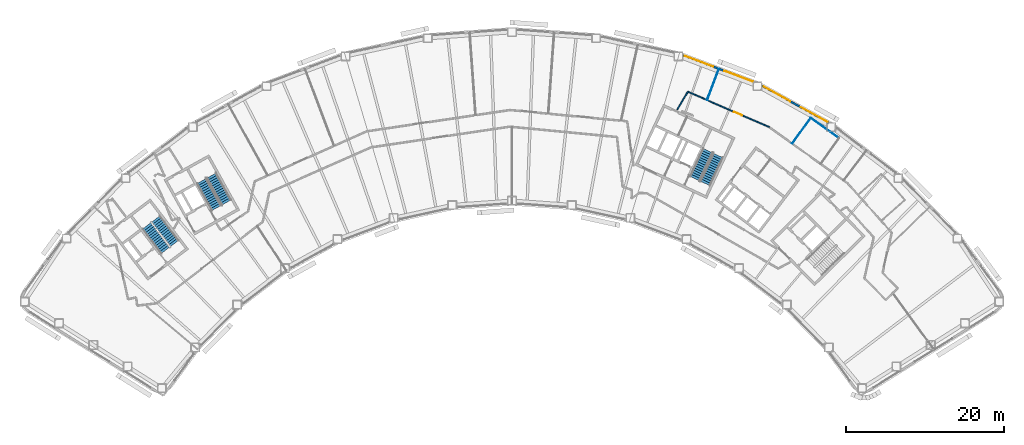
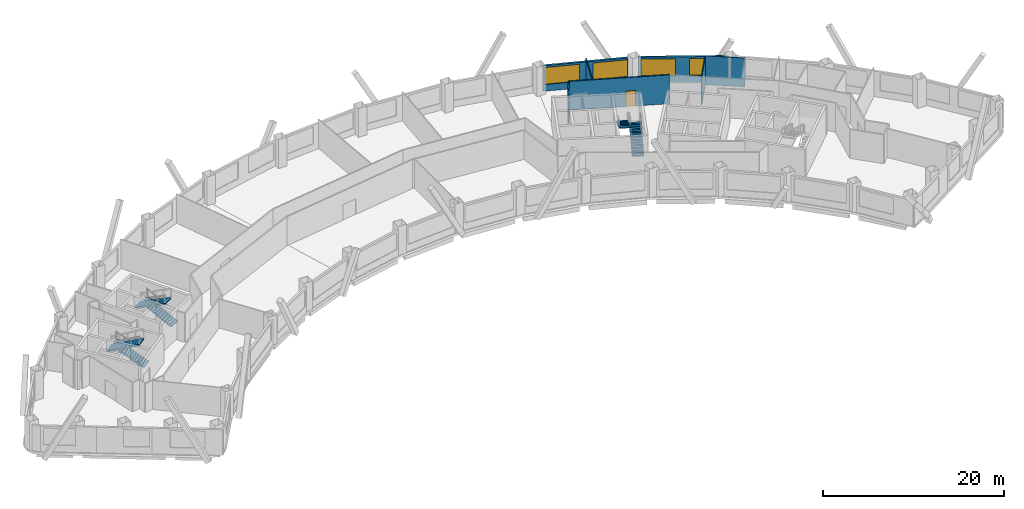
# One storey, part 8 of 11: 7 walls, 6 stair flights, 4 windows, 1 door, 5 openings, 3 elements without a shape of their own.
"""IFC4 building model written with IfcOpenShell, lengths in metres."""

from ifc_helpers import new_model, si_unit, direction, frame, frame_2d, origin, place, context, subcontext, project, spatial, polyline, rectangle, outline, extrude, material, layer, layer_set, type_object, element, fill, aggregate, save


model = new_model("IFC4")

# Units and contexts
model_context = context("Model", 3, precision=1e-05, world=origin(), true_north=direction((0.0, 1.0)))
body_context = subcontext(model_context, "Body", "Model", "MODEL_VIEW")
ifc_project = project(units=[si_unit("LENGTHUNIT", "METRE"), si_unit("AREAUNIT", "SQUARE_METRE"), si_unit("VOLUMEUNIT", "CUBIC_METRE"), si_unit("PLANEANGLEUNIT", "RADIAN"), si_unit("MASSUNIT", "GRAM", prefix="KILO")], contexts=[model_context])

# Site, building, storey
site_placement = place(None, origin())
site = spatial("IfcSite", under=ifc_project, at=site_placement, CompositionType="ELEMENT")
building_placement = place(site_placement, origin())
building = spatial("IfcBuilding", under=site, at=building_placement, Name="Tuul Gate Civic Tower", CompositionType="ELEMENT")
storey_placement = place(building_placement, frame((0.0, 0.0, 116.10009765625)))
storey = spatial("IfcBuildingStorey", under=building, at=storey_placement, Name="Level 26", CompositionType="ELEMENT", Elevation=116.10009765625)

# Wall, opening, door
ifc_material_1 = material(Name="Gypsum board partition")
ifc_layer_1 = layer(ifc_material_1, 0.14990234375)
ifc_layer_set_1 = layer_set([ifc_layer_1], Name="Gypsum board partition")
wall_type_1 = type_object("IfcWallType", Name="Corridor wall P150", PredefinedType="PARTITIONING", material=ifc_layer_set_1)
wall_1_placement = place(storey_placement, frame((32.088134765625, 6.127197265625, 0.0), z_axis=(0.0, 0.0, 1.0), x_axis=(0.916937971515, -0.399029768807, 0.0)))
wall_1 = element("IfcWall", 1, at=wall_1_placement, inside=storey, type_object=wall_type_1, Name="p015", PredefinedType="PARTITIONING", context=body_context, shape_type="SweptSolid", body=[
    extrude(rectangle(XDim=11.229736328125, YDim=0.14990234375, at=frame_2d((5.61474609375, 0.0))), origin(), (0.0, 0.0, 1.0), 3.89990234375),
])
opening_1_placement = place(wall_1_placement, frame((6.373291015625, 0.0, 0.0)))
opening_1 = element("IfcOpeningElement", 2, at=opening_1_placement, cuts=wall_1, Name="Opening H-D16", PredefinedType="OPENING", context=body_context, shape_type="SweptSolid", body=[
    extrude(rectangle(XDim=1.10009765625, YDim=2.10009765625, at=frame_2d((0.550048828125, 1.050048828125))), frame((0.0, 0.0849609375, 0.0), z_axis=(0.0, -1.0, 0.0), x_axis=(1.0, 0.0, 0.0)), (0.0, 0.0, 1.0), 0.169921875),
])
ifc_material_2 = material(Name="Timber door leaf", Category="wood")
door_type = type_object("IfcDoorType", Name="Door D11", OperationType="NOTDEFINED", PredefinedType="DOOR", material=ifc_material_2)
door_placement = place(opening_1_placement, origin())
door = element("IfcDoor", 3, at=door_placement, inside=storey, type_object=door_type, Name="Door H-D16", OperationType="SINGLE_SWING_RIGHT", OverallHeight=2.10009765625, OverallWidth=1.10009765625, PredefinedType="DOOR", context=body_context, shape_type="SweptSolid", body=[
    extrude(rectangle(XDim=1.10009765625, YDim=2.10009765625, at=frame_2d((0.550048828125, 1.050048828125))), frame((0.0, 0.02490234375, 0.0), z_axis=(0.0, -1.0, 0.0), x_axis=(1.0, 0.0, 0.0)), (0.0, 0.0, 1.0), 0.050048828125),
])
fill(opening_1, door)

# Wall
wall_2_placement = place(storey_placement, frame((30.74609375, 3.893310546875, 0.0), z_axis=(0.0, 0.0, 1.0), x_axis=(0.514785144956, 0.85731922557, 0.0)))
element("IfcWall", 4, at=wall_2_placement, inside=storey, type_object=wall_type_1, Name="p016", PredefinedType="PARTITIONING", context=body_context, shape_type="SweptSolid", body=[
    extrude(rectangle(XDim=2.60498046875, YDim=0.14990234375, at=frame_2d((1.302490234375, 0.0))), origin(), (0.0, 0.0, 1.0), 3.89990234375),
])

# Wall, openings, windows
ifc_material_3 = material(Name="Precast concrete C40/50", Category="concrete")
ifc_layer_2 = layer(ifc_material_3, 0.25)
ifc_layer_set_2 = layer_set([ifc_layer_2], Name="Precast concrete C40/50")
wall_type_2 = type_object("IfcWallType", Name="External wall", PredefinedType="STANDARD", material=ifc_layer_set_2)
wall_3_placement = place(storey_placement, frame((49.909912109375, 2.214111328125, 0.0), z_axis=(0.0, 0.0, 1.0), x_axis=(-0.874635083582, 0.484781879372, 0.0)))
wall_3 = element("IfcWall", 5, at=wall_3_placement, inside=storey, type_object=wall_type_2, Name="External wall", PredefinedType="STANDARD", context=body_context, shape_type="SweptSolid", body=[
    extrude(rectangle(XDim=9.680419921875, YDim=0.25, at=frame_2d((4.84033203125, 0.0))), origin(), (0.0, 0.0, 1.0), 3.449951171875),
])
opening_2_placement = place(wall_3_placement, frame((0.180419921875, 0.0, 0.89990234375)))
opening_2 = element("IfcOpeningElement", 6, at=opening_2_placement, cuts=wall_3, Name="Opening W22", PredefinedType="OPENING", context=body_context, shape_type="SweptSolid", body=[
    extrude(rectangle(XDim=3.85009765625, YDim=2.300048828125, at=frame_2d((1.925048828125, 1.14990234375))), frame((0.0, 0.135009765625, 0.0), z_axis=(0.0, -1.0, 0.0), x_axis=(1.0, 0.0, 0.0)), (0.0, 0.0, 1.0), 0.27001953125),
])
opening_3_placement = place(wall_3_placement, frame((5.5517578125, 0.0, 0.89990234375)))
opening_3 = element("IfcOpeningElement", 7, at=opening_3_placement, cuts=wall_3, Name="Opening W22", PredefinedType="OPENING", context=body_context, shape_type="SweptSolid", body=[
    extrude(rectangle(XDim=3.85009765625, YDim=2.300048828125, at=frame_2d((1.925048828125, 1.14990234375))), frame((0.0, 0.135009765625, 0.0), z_axis=(0.0, -1.0, 0.0), x_axis=(1.0, 0.0, 0.0)), (0.0, 0.0, 1.0), 0.27001953125),
])
ifc_material_4 = material(Name="Glass", Category="glass")
window_type = type_object("IfcWindowType", Name="Window W22 3850 x 2300", PartitioningType="SINGLE_PANEL", PredefinedType="WINDOW", material=ifc_material_4)
window_1_placement = place(opening_2_placement, origin())
window_1 = element("IfcWindow", 8, at=window_1_placement, inside=storey, type_object=window_type, Name="Window", OverallHeight=2.300048828125, OverallWidth=3.85009765625, PartitioningType="SINGLE_PANEL", PredefinedType="WINDOW", context=body_context, shape_type="SweptSolid", body=[
    extrude(rectangle(XDim=3.85009765625, YDim=2.300048828125, at=frame_2d((1.925048828125, 1.14990234375))), frame((0.0, 0.030029296875, 0.0), z_axis=(0.0, -1.0, 0.0), x_axis=(1.0, 0.0, 0.0)), (0.0, 0.0, 1.0), 0.06005859375),
])
fill(opening_2, window_1)
window_2_placement = place(opening_3_placement, origin())
window_2 = element("IfcWindow", 9, at=window_2_placement, inside=storey, type_object=window_type, Name="Window", OverallHeight=2.300048828125, OverallWidth=3.85009765625, PartitioningType="SINGLE_PANEL", PredefinedType="WINDOW", context=body_context, shape_type="SweptSolid", body=[
    extrude(rectangle(XDim=3.85009765625, YDim=2.300048828125, at=frame_2d((1.925048828125, 1.14990234375))), frame((0.0, 0.030029296875, 0.0), z_axis=(0.0, -1.0, 0.0), x_axis=(1.0, 0.0, 0.0)), (0.0, 0.0, 1.0), 0.06005859375),
])
fill(opening_3, window_2)

wall_4_placement = place(storey_placement, frame((40.358154296875, 7.389892578125, 0.0), z_axis=(0.0, 0.0, 1.0), x_axis=(-0.935373880855, 0.353660434618, 0.0)))
wall_4 = element("IfcWall", 10, at=wall_4_placement, inside=storey, type_object=wall_type_2, Name="External wall", PredefinedType="STANDARD", context=body_context, shape_type="SweptSolid", body=[
    extrude(rectangle(XDim=9.518310546875, YDim=0.25, at=frame_2d((4.75927734375, 0.0))), origin(), (0.0, 0.0, 1.0), 3.449951171875),
])
opening_4_placement = place(wall_4_placement, frame((0.0341796875, 0.0, 0.89990234375)))
opening_4 = element("IfcOpeningElement", 11, at=opening_4_placement, cuts=wall_4, Name="Opening W22", PredefinedType="OPENING", context=body_context, shape_type="SweptSolid", body=[
    extrude(rectangle(XDim=3.85009765625, YDim=2.300048828125, at=frame_2d((1.925048828125, 1.14990234375))), frame((0.0, 0.135009765625, 0.0), z_axis=(0.0, -1.0, 0.0), x_axis=(1.0, 0.0, 0.0)), (0.0, 0.0, 1.0), 0.27001953125),
])
opening_5_placement = place(wall_4_placement, frame((5.4052734375, 0.0, 0.89990234375)))
opening_5 = element("IfcOpeningElement", 12, at=opening_5_placement, cuts=wall_4, Name="Opening W22", PredefinedType="OPENING", context=body_context, shape_type="SweptSolid", body=[
    extrude(rectangle(XDim=3.85009765625, YDim=2.300048828125, at=frame_2d((1.925048828125, 1.14990234375))), frame((0.0, 0.135009765625, 0.0), z_axis=(0.0, -1.0, 0.0), x_axis=(1.0, 0.0, 0.0)), (0.0, 0.0, 1.0), 0.27001953125),
])
window_3_placement = place(opening_4_placement, origin())
window_3 = element("IfcWindow", 13, at=window_3_placement, inside=storey, type_object=window_type, Name="Window", OverallHeight=2.300048828125, OverallWidth=3.85009765625, PartitioningType="SINGLE_PANEL", PredefinedType="WINDOW", context=body_context, shape_type="SweptSolid", body=[
    extrude(rectangle(XDim=3.85009765625, YDim=2.300048828125, at=frame_2d((1.925048828125, 1.14990234375))), frame((0.0, 0.030029296875, 0.0), z_axis=(0.0, -1.0, 0.0), x_axis=(1.0, 0.0, 0.0)), (0.0, 0.0, 1.0), 0.06005859375),
])
fill(opening_4, window_3)
window_4_placement = place(opening_5_placement, origin())
window_4 = element("IfcWindow", 14, at=window_4_placement, inside=storey, type_object=window_type, Name="Window", OverallHeight=2.300048828125, OverallWidth=3.85009765625, PartitioningType="SINGLE_PANEL", PredefinedType="WINDOW", context=body_context, shape_type="SweptSolid", body=[
    extrude(rectangle(XDim=3.85009765625, YDim=2.300048828125, at=frame_2d((1.925048828125, 1.14990234375))), frame((0.0, 0.030029296875, 0.0), z_axis=(0.0, -1.0, 0.0), x_axis=(1.0, 0.0, 0.0)), (0.0, 0.0, 1.0), 0.06005859375),
])
fill(opening_5, window_4)

# Walls
ifc_material_5 = material(Name="Gypsum board partition")
ifc_layer_3 = layer(ifc_material_5, 0.10009765625)
ifc_layer_set_3 = layer_set([ifc_layer_3], Name="Gypsum board partition")
wall_type_3 = type_object("IfcWallType", Name="Partition P100", PredefinedType="PARTITIONING", material=ifc_layer_set_3)
wall_5_placement = place(storey_placement, frame((45.294677734375, -0.435546875, 0.0), z_axis=(0.0, 0.0, 1.0), x_axis=(0.581865781351, 0.813284828638, 0.0)))
element("IfcWall", 15, at=wall_5_placement, inside=storey, type_object=wall_type_3, Name="p011", PredefinedType="PARTITIONING", context=body_context, shape_type="SweptSolid", body=[
    extrude(rectangle(XDim=4.010009765625, YDim=0.10009765625, at=frame_2d((2.0048828125, 0.0))), origin(), (0.0, 0.0, 1.0), 3.89990234375),
])
wall_6_placement = place(storey_placement, frame((47.6279296875, 2.82568359375, 0.0), z_axis=(0.0, 0.0, 1.0), x_axis=(0.813266704996, -0.581891112275, 0.0)))
element("IfcWall", 16, at=wall_6_placement, inside=storey, type_object=wall_type_3, Name="p012", PredefinedType="PARTITIONING", context=body_context, shape_type="SweptSolid", body=[
    extrude(rectangle(XDim=4.420166015625, YDim=0.10009765625, at=frame_2d((2.2099609375, 0.0))), origin(), (0.0, 0.0, 1.0), 3.89990234375),
])
wall_7_placement = place(storey_placement, frame((34.515625, 5.07080078125, 0.0), z_axis=(0.0, 0.0, 1.0), x_axis=(0.353734196343, 0.935345988572, 0.0)))
element("IfcWall", 17, at=wall_7_placement, inside=storey, type_object=wall_type_3, Name="p020", PredefinedType="PARTITIONING", context=body_context, shape_type="SweptSolid", body=[
    extrude(rectangle(XDim=4.240478515625, YDim=0.10009765625, at=frame_2d((2.1201171875, 0.0))), origin(), (0.0, 0.0, 1.0), 3.89990234375),
])

# Stair, stair flights
ifc_material_6 = material(Name="Concrete C40/50", Category="concrete")
stair_type = type_object("IfcStairType", Name="Exit stair", PredefinedType="HALF_TURN_STAIR", material=ifc_material_6)
stair_1_placement = place(storey_placement, origin())
stair_1 = element("IfcStair", 18, at=stair_1_placement, inside=storey, type_object=stair_type, Name="Level 26 ST-1", PredefinedType="HALF_TURN_STAIR")
ifc_material_7 = material(Name="Concrete C40/50", Category="concrete")
stair_flight_type = type_object("IfcStairFlightType", Name="Exit stair flight", PredefinedType="STRAIGHT", material=ifc_material_7)
stair_flight_1_placement = place(storey_placement, frame((-32.875244140625, -13.066650390625, 0.0), z_axis=(0.0, 0.0, 1.0), x_axis=(-0.605764474941, 0.795644016442, 0.0)))
stair_flight_1 = element("IfcStairFlight", 19, at=stair_flight_1_placement, type_object=stair_flight_type, Name="ST-1 flight 1", NumberOfRisers=14, NumberOfTreads=13, PredefinedType="STRAIGHT", RiserHeight=0.15, TreadLength=0.3, context=body_context, shape_type="SweptSolid", body=[
    extrude(outline(polyline([(0.0, 0.0), (0.0, 0.14990234375), (0.300048828125, 0.14990234375), (0.300048828125, 0.300048828125), (0.60009765625, 0.300048828125), (0.60009765625, 0.449951171875), (0.89990234375, 0.449951171875), (0.89990234375, 0.60009765625), (1.199951171875, 0.60009765625), (1.199951171875, 0.75), (1.5, 0.75), (1.5, 0.89990234375), (1.800048828125, 0.89990234375), (1.800048828125, 1.050048828125), (2.10009765625, 1.050048828125), (2.10009765625, 1.199951171875), (2.39990234375, 1.199951171875), (2.39990234375, 1.35009765625), (2.699951171875, 1.35009765625), (2.699951171875, 1.5), (3.0, 1.5), (3.0, 1.64990234375), (3.300048828125, 1.64990234375), (3.300048828125, 1.800048828125), (3.60009765625, 1.800048828125), (3.60009765625, 1.949951171875), (3.89990234375, 1.949951171875), (3.89990234375, 2.10009765625), (3.89990234375, 1.782470703125), (0.335205078125, 0.0), (0.0, 0.0)])), frame((0.0, 0.675048828125, 0.0), z_axis=(0.0, -1.0, 0.0), x_axis=(1.0, 0.0, 0.0)), (0.0, 0.0, 1.0), 1.35009765625),
])
stair_flight_2_placement = place(storey_placement, frame((-36.391357421875, -10.842041015625, 2.099853515625), z_axis=(0.0, 0.0, 1.0), x_axis=(0.605764474941, -0.795644016442, 0.0)))
stair_flight_2 = element("IfcStairFlight", 20, at=stair_flight_2_placement, type_object=stair_flight_type, Name="ST-1 flight 2", NumberOfRisers=14, NumberOfTreads=13, PredefinedType="STRAIGHT", RiserHeight=0.15, TreadLength=0.3, context=body_context, shape_type="SweptSolid", body=[
    extrude(outline(polyline([(0.0, 0.0), (0.0, 0.14990234375), (0.300048828125, 0.14990234375), (0.300048828125, 0.300048828125), (0.60009765625, 0.300048828125), (0.60009765625, 0.449951171875), (0.89990234375, 0.449951171875), (0.89990234375, 0.60009765625), (1.199951171875, 0.60009765625), (1.199951171875, 0.75), (1.5, 0.75), (1.5, 0.89990234375), (1.800048828125, 0.89990234375), (1.800048828125, 1.050048828125), (2.10009765625, 1.050048828125), (2.10009765625, 1.199951171875), (2.39990234375, 1.199951171875), (2.39990234375, 1.35009765625), (2.699951171875, 1.35009765625), (2.699951171875, 1.5), (3.0, 1.5), (3.0, 1.64990234375), (3.300048828125, 1.64990234375), (3.300048828125, 1.800048828125), (3.60009765625, 1.800048828125), (3.60009765625, 1.949951171875), (3.89990234375, 1.949951171875), (3.89990234375, 2.10009765625), (3.89990234375, 1.782470703125), (0.335205078125, 0.0), (0.0, 0.0)])), frame((0.0, 0.675048828125, 0.0), z_axis=(0.0, -1.0, 0.0), x_axis=(1.0, 0.0, 0.0)), (0.0, 0.0, 1.0), 1.35009765625),
])
aggregate(stair_1, [stair_flight_1, stair_flight_2])

stair_2_placement = place(storey_placement, origin())
stair_2 = element("IfcStair", 21, at=stair_2_placement, inside=storey, type_object=stair_type, Name="Level 26 ST-2", PredefinedType="HALF_TURN_STAIR")
stair_flight_3_placement = place(storey_placement, frame((-26.29150390625, -7.87646484375, 0.0), z_axis=(0.0, 0.0, 1.0), x_axis=(-0.484761763766, 0.874646232708, 0.0)))
stair_flight_3 = element("IfcStairFlight", 22, at=stair_flight_3_placement, type_object=stair_flight_type, Name="ST-2 flight 1", NumberOfRisers=14, NumberOfTreads=13, PredefinedType="STRAIGHT", RiserHeight=0.15, TreadLength=0.3, context=body_context, shape_type="SweptSolid", body=[
    extrude(outline(polyline([(0.0, 0.0), (0.0, 0.14990234375), (0.300048828125, 0.14990234375), (0.300048828125, 0.300048828125), (0.60009765625, 0.300048828125), (0.60009765625, 0.449951171875), (0.89990234375, 0.449951171875), (0.89990234375, 0.60009765625), (1.199951171875, 0.60009765625), (1.199951171875, 0.75), (1.5, 0.75), (1.5, 0.89990234375), (1.800048828125, 0.89990234375), (1.800048828125, 1.050048828125), (2.10009765625, 1.050048828125), (2.10009765625, 1.199951171875), (2.39990234375, 1.199951171875), (2.39990234375, 1.35009765625), (2.699951171875, 1.35009765625), (2.699951171875, 1.5), (3.0, 1.5), (3.0, 1.64990234375), (3.300048828125, 1.64990234375), (3.300048828125, 1.800048828125), (3.60009765625, 1.800048828125), (3.60009765625, 1.949951171875), (3.89990234375, 1.949951171875), (3.89990234375, 2.10009765625), (3.89990234375, 1.782470703125), (0.335205078125, 0.0), (0.0, 0.0)])), frame((0.0, 0.675048828125, 0.0), z_axis=(0.0, -1.0, 0.0), x_axis=(1.0, 0.0, 0.0)), (0.0, 0.0, 1.0), 1.35009765625),
])
stair_flight_4_placement = place(storey_placement, frame((-29.450439453125, -5.168212890625, 2.099853515625), z_axis=(0.0, 0.0, 1.0), x_axis=(0.484761763766, -0.874646232708, 0.0)))
stair_flight_4 = element("IfcStairFlight", 23, at=stair_flight_4_placement, type_object=stair_flight_type, Name="ST-2 flight 2", NumberOfRisers=14, NumberOfTreads=13, PredefinedType="STRAIGHT", RiserHeight=0.15, TreadLength=0.3, context=body_context, shape_type="SweptSolid", body=[
    extrude(outline(polyline([(0.0, 0.0), (0.0, 0.14990234375), (0.300048828125, 0.14990234375), (0.300048828125, 0.300048828125), (0.60009765625, 0.300048828125), (0.60009765625, 0.449951171875), (0.89990234375, 0.449951171875), (0.89990234375, 0.60009765625), (1.199951171875, 0.60009765625), (1.199951171875, 0.75), (1.5, 0.75), (1.5, 0.89990234375), (1.800048828125, 0.89990234375), (1.800048828125, 1.050048828125), (2.10009765625, 1.050048828125), (2.10009765625, 1.199951171875), (2.39990234375, 1.199951171875), (2.39990234375, 1.35009765625), (2.699951171875, 1.35009765625), (2.699951171875, 1.5), (3.0, 1.5), (3.0, 1.64990234375), (3.300048828125, 1.64990234375), (3.300048828125, 1.800048828125), (3.60009765625, 1.800048828125), (3.60009765625, 1.949951171875), (3.89990234375, 1.949951171875), (3.89990234375, 2.10009765625), (3.89990234375, 1.782470703125), (0.335205078125, 0.0), (0.0, 0.0)])), frame((0.0, 0.675048828125, 0.0), z_axis=(0.0, -1.0, 0.0), x_axis=(1.0, 0.0, 0.0)), (0.0, 0.0, 1.0), 1.35009765625),
])
aggregate(stair_2, [stair_flight_3, stair_flight_4])

stair_3_placement = place(storey_placement, origin())
stair_3 = element("IfcStair", 24, at=stair_3_placement, inside=storey, type_object=stair_type, Name="Level 26 ST-4", PredefinedType="HALF_TURN_STAIR")
stair_flight_5_placement = place(storey_placement, frame((34.278564453125, -5.478515625, 0.0), z_axis=(0.0, 0.0, 1.0), x_axis=(0.422576295988, 0.906327354806, 0.0)))
stair_flight_5 = element("IfcStairFlight", 25, at=stair_flight_5_placement, type_object=stair_flight_type, Name="ST-4 flight 1", NumberOfRisers=14, NumberOfTreads=13, PredefinedType="STRAIGHT", RiserHeight=0.15, TreadLength=0.3, context=body_context, shape_type="SweptSolid", body=[
    extrude(outline(polyline([(0.0, 0.0), (0.0, 0.14990234375), (0.300048828125, 0.14990234375), (0.300048828125, 0.300048828125), (0.60009765625, 0.300048828125), (0.60009765625, 0.449951171875), (0.89990234375, 0.449951171875), (0.89990234375, 0.60009765625), (1.199951171875, 0.60009765625), (1.199951171875, 0.75), (1.5, 0.75), (1.5, 0.89990234375), (1.800048828125, 0.89990234375), (1.800048828125, 1.050048828125), (2.10009765625, 1.050048828125), (2.10009765625, 1.199951171875), (2.39990234375, 1.199951171875), (2.39990234375, 1.35009765625), (2.699951171875, 1.35009765625), (2.699951171875, 1.5), (3.0, 1.5), (3.0, 1.64990234375), (3.300048828125, 1.64990234375), (3.300048828125, 1.800048828125), (3.60009765625, 1.800048828125), (3.60009765625, 1.949951171875), (3.89990234375, 1.949951171875), (3.89990234375, 2.10009765625), (3.89990234375, 1.782470703125), (0.335205078125, 0.0), (0.0, 0.0)])), frame((0.0, 0.675048828125, 0.0), z_axis=(0.0, -1.0, 0.0), x_axis=(1.0, 0.0, 0.0)), (0.0, 0.0, 1.0), 1.35009765625),
])
stair_flight_6_placement = place(storey_placement, frame((34.612548828125, -1.3310546875, 2.099853515625), z_axis=(0.0, 0.0, 1.0), x_axis=(-0.422576295988, -0.906327354806, 0.0)))
stair_flight_6 = element("IfcStairFlight", 26, at=stair_flight_6_placement, type_object=stair_flight_type, Name="ST-4 flight 2", NumberOfRisers=14, NumberOfTreads=13, PredefinedType="STRAIGHT", RiserHeight=0.15, TreadLength=0.3, context=body_context, shape_type="SweptSolid", body=[
    extrude(outline(polyline([(0.0, 0.0), (0.0, 0.14990234375), (0.300048828125, 0.14990234375), (0.300048828125, 0.300048828125), (0.60009765625, 0.300048828125), (0.60009765625, 0.449951171875), (0.89990234375, 0.449951171875), (0.89990234375, 0.60009765625), (1.199951171875, 0.60009765625), (1.199951171875, 0.75), (1.5, 0.75), (1.5, 0.89990234375), (1.800048828125, 0.89990234375), (1.800048828125, 1.050048828125), (2.10009765625, 1.050048828125), (2.10009765625, 1.199951171875), (2.39990234375, 1.199951171875), (2.39990234375, 1.35009765625), (2.699951171875, 1.35009765625), (2.699951171875, 1.5), (3.0, 1.5), (3.0, 1.64990234375), (3.300048828125, 1.64990234375), (3.300048828125, 1.800048828125), (3.60009765625, 1.800048828125), (3.60009765625, 1.949951171875), (3.89990234375, 1.949951171875), (3.89990234375, 2.10009765625), (3.89990234375, 1.782470703125), (0.335205078125, 0.0), (0.0, 0.0)])), frame((0.0, 0.675048828125, 0.0), z_axis=(0.0, -1.0, 0.0), x_axis=(1.0, 0.0, 0.0)), (0.0, 0.0, 1.0), 1.35009765625),
])
aggregate(stair_3, [stair_flight_5, stair_flight_6])

save(model, "model.ifc")
